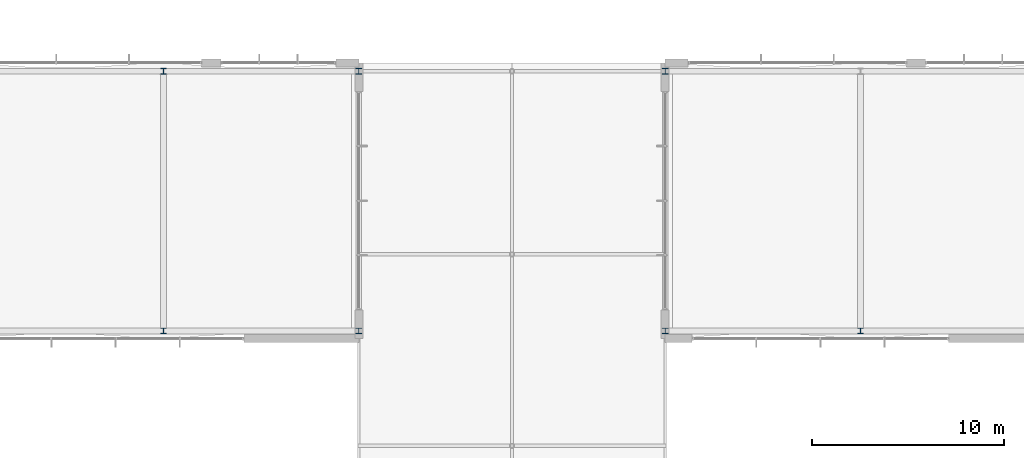
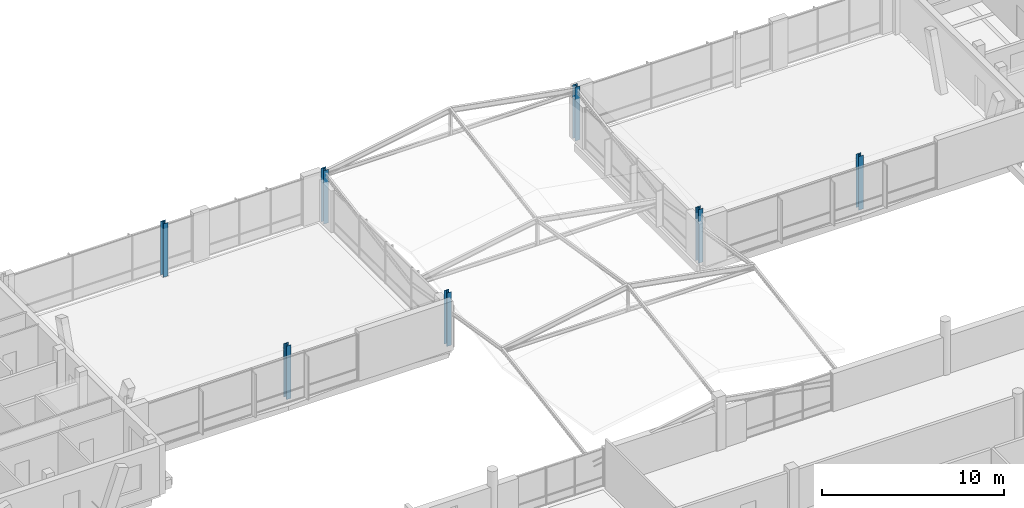
# One storey, part 9 of 189: 7 columns.
"""IFC4 building model written with IfcOpenShell, lengths in metres."""

from ifc_helpers import new_model, si_unit, direction, frame, origin, origin_2d, place, context, subcontext, project, spatial, i_section, extrude, material, material_profile, profile_set, type_object, element, save


model = new_model("IFC4")

# Units and contexts
model_context = context("Model", 3, precision=1e-05, world=origin(), true_north=direction((0.0, 1.0)))
body_context = subcontext(model_context, "Body", "Model", "MODEL_VIEW")
ifc_project = project(units=[si_unit("LENGTHUNIT", "METRE"), si_unit("AREAUNIT", "SQUARE_METRE"), si_unit("VOLUMEUNIT", "CUBIC_METRE"), si_unit("PLANEANGLEUNIT", "RADIAN"), si_unit("MASSUNIT", "GRAM", prefix="KILO")], contexts=[model_context])

# Site, building, storey
site_placement = place(None, origin())
site = spatial("IfcSite", under=ifc_project, at=site_placement, CompositionType="ELEMENT")
building_placement = place(site_placement, origin())
building = spatial("IfcBuilding", under=site, at=building_placement, Name="Zavelmont Quarter", CompositionType="ELEMENT")
storey_placement = place(building_placement, frame((0.0, 0.0, 4.39990234375)))
storey = spatial("IfcBuildingStorey", under=building, at=storey_placement, Name="L01", CompositionType="ELEMENT", Elevation=4.39990234375)

# Columns
ifc_material = material(Name="Steel S355", Category="steel")
ifc_material_profile = material_profile(ifc_material, i_section(OverallWidth=0.300048828125, OverallDepth=0.300048828125, WebThickness=0.010986328125, FlangeThickness=0.01904296875, at=origin_2d()), Name="HEB 300")
ifc_profile_set = profile_set([ifc_material_profile], Name="Steel S355")
column_type = type_object("IfcColumnType", Name="CL10", PredefinedType="COLUMN", material=ifc_profile_set)
for number, where, z_axis, x_axis, name in (
    (1, (65.800048828125, 102.0, 0.0), (0.0, 0.0, 1.0), (1.0, 0.0, 0.0), "L01 column CL10 at 10/Q"),
    (2, (65.800048828125, 115.56005859375, 0.0), (0.0, 0.0, 1.0), (1.0, 0.0, 0.0), "L01 column CL10 at 10/S"),
    (3, (76.0, 102.0, 0.0), (0.0, 0.0, 1.0), (1.0, 0.0, 0.0), "L01 column CL10 at 12/Q"),
    (4, (76.0, 115.56005859375, 0.0), (0.0, 0.0, 1.0), (1.0, 0.0, 0.0), "L01 column CL10 at 12/S"),
    (5, (92.0, 102.0, 0.0), (0.0, 0.0, 1.0), (1.0, 0.0, 0.0), "L01 column CL10 at 14/Q"),
    (6, (92.0, 115.56005859375, 0.0), (0.0, 0.0, 1.0), (1.0, 0.0, 0.0), "L01 column CL10 at 14/S"),
    (7, (102.199951171875, 102.0, 0.0), (0.0, 0.0, 1.0), (1.0, 0.0, 0.0), "L01 column CL10 at 16/Q"),
):
    element("IfcColumn", number, at=place(storey_placement, frame(where, z_axis=z_axis, x_axis=x_axis)), inside=storey, type_object=column_type, Name=name, PredefinedType="COLUMN", context=body_context, shape_type="SweptSolid", body=[
        extrude(i_section(OverallWidth=0.300048828125, OverallDepth=0.300048828125, WebThickness=0.010986328125, FlangeThickness=0.01904296875, at=origin_2d()), origin(), (0.0, 0.0, 1.0), 3.60009765625),
    ])

save(model, "model.ifc")
